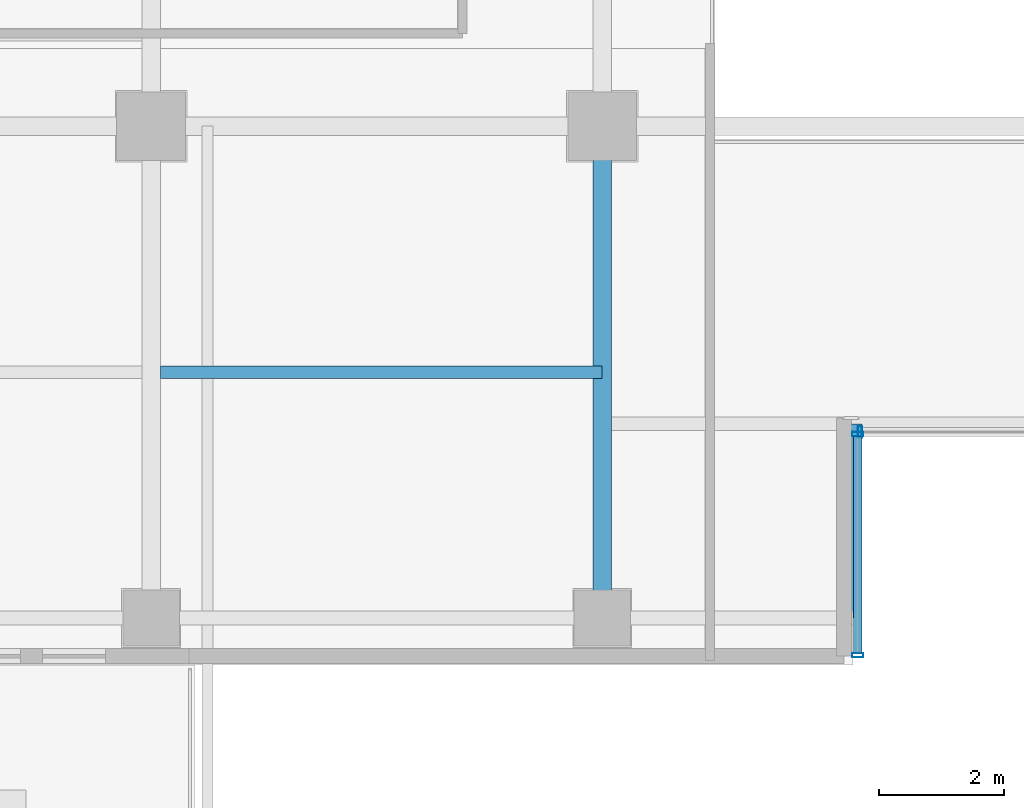
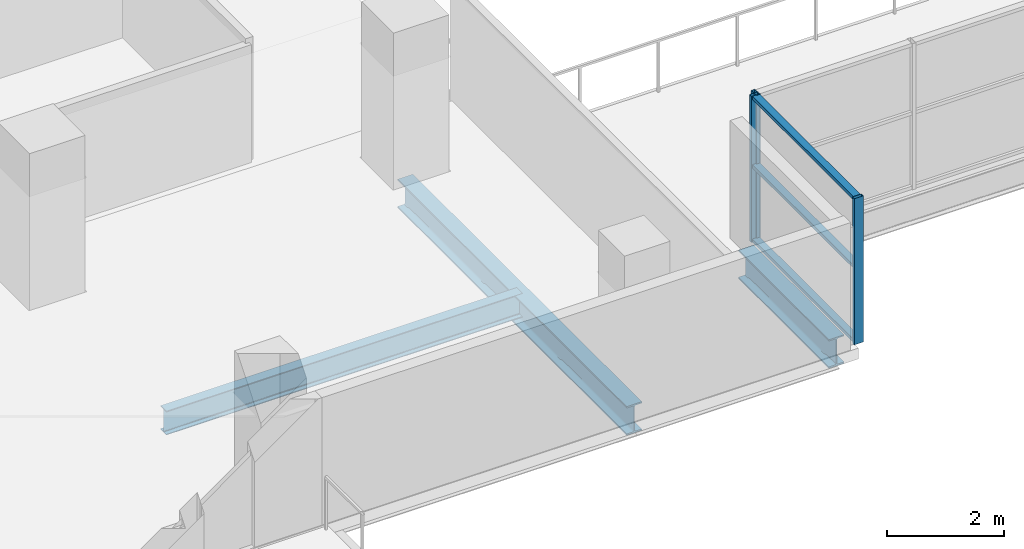
# One storey, part 3 of 31: 6 members, 3 beams, 2 elements without a shape of their own.
"""IFC4 building model written with IfcOpenShell, lengths in metres."""

from ifc_helpers import new_model, si_unit, direction, frame, origin, origin_2d, place, context, subcontext, project, spatial, hollow_rectangle, i_section, extrude, source, transform, mapped, material, layer, layer_set, material_profile, profile_set, type_object, element, aggregate, save


model = new_model("IFC4")

# Units and contexts
model_context = context("Model", 3, precision=1e-05, world=origin(), true_north=direction((0.0, 1.0)))
body_context = subcontext(model_context, "Body", "Model", "MODEL_VIEW")
ifc_project = project(units=[si_unit("LENGTHUNIT", "METRE"), si_unit("AREAUNIT", "SQUARE_METRE"), si_unit("VOLUMEUNIT", "CUBIC_METRE"), si_unit("PLANEANGLEUNIT", "RADIAN"), si_unit("MASSUNIT", "GRAM", prefix="KILO")], contexts=[model_context])

# Site, building, storey
site_placement = place(None, origin())
site = spatial("IfcSite", under=ifc_project, at=site_placement, CompositionType="ELEMENT")
building_placement = place(site_placement, origin())
building = spatial("IfcBuilding", under=site, at=building_placement, Name="Zarnakvel Exchange Tower", CompositionType="ELEMENT")
storey_placement = place(building_placement, frame((0.0, 0.0, 47.199951171875)))
storey = spatial("IfcBuildingStorey", under=building, at=storey_placement, Name="L12", CompositionType="ELEMENT", Elevation=47.199951171875)

# Beams
ifc_material_1 = material(Name="Steel S355", Category="steel")
ifc_material_profile_1 = material_profile(ifc_material_1, i_section(OverallWidth=0.199951171875, OverallDepth=0.5, WebThickness=0.01025390625, FlangeThickness=0.01611328125, FilletRadius=0.02099609375, at=origin_2d()))
ifc_profile_set_1 = profile_set([ifc_material_profile_1], Name="Steel S355")
beam_type_1 = type_object("IfcBeamType", Name="B-04", PredefinedType="JOIST", material=ifc_profile_set_1)
beam_1_placement = place(storey_placement, frame((-14.25, -13.52490234375, -0.474853515625), z_axis=(1.0, 0.0, 0.0), x_axis=(0.0, 1.0, 0.0)))
element("IfcBeam", 1, at=beam_1_placement, inside=storey, type_object=beam_type_1, Name="L12 Composite Floor Secondary Joist", PredefinedType="JOIST", context=body_context, shape_type="SweptSolid", body=[
    extrude(i_section(OverallWidth=0.199951171875, OverallDepth=0.5, WebThickness=0.01025390625, FlangeThickness=0.01611328125, FilletRadius=0.02099609375, at=origin_2d()), origin(), (0.0, 0.0, 1.0), 7.050048828125),
])
ifc_material_profile_2 = material_profile(ifc_material_1, i_section(OverallWidth=0.300048828125, OverallDepth=0.60009765625, WebThickness=0.015380859375, FlangeThickness=0.030029296875, FilletRadius=0.027099609375, at=origin_2d()))
ifc_profile_set_2 = profile_set([ifc_material_profile_2], Name="Steel S355")
beam_type_2 = type_object("IfcBeamType", Name="G-04", PredefinedType="BEAM", material=ifc_profile_set_2)
beam_2_placement = place(storey_placement, frame((-3.199951171875, -17.449951171875, -0.52490234375), z_axis=(0.0, 1.0, 0.0), x_axis=(-1.0, 0.0, 0.0)))
element("IfcBeam", 2, at=beam_2_placement, inside=storey, type_object=beam_type_2, Name="L12 South Slot West Cheek Beam", PredefinedType="BEAM", context=body_context, shape_type="SweptSolid", body=[
    extrude(i_section(OverallWidth=0.300048828125, OverallDepth=0.60009765625, WebThickness=0.015380859375, FlangeThickness=0.030029296875, FilletRadius=0.027099609375, at=origin_2d()), origin(), (0.0, 0.0, 1.0), 3.099853515625),
])
beam_3_placement = place(storey_placement, frame((-7.199951171875, -17.449951171875, -0.52490234375), z_axis=(0.0, 1.0, 0.0), x_axis=(-1.0, 0.0, 0.0)))
element("IfcBeam", 3, at=beam_3_placement, inside=storey, type_object=beam_type_2, Name="L12 Tower N-S Frame Beam", PredefinedType="BEAM", context=body_context, shape_type="SweptSolid", body=[
    extrude(i_section(OverallWidth=0.300048828125, OverallDepth=0.60009765625, WebThickness=0.015380859375, FlangeThickness=0.030029296875, FilletRadius=0.027099609375, at=origin_2d()), origin(), (0.0, 0.0, 1.0), 7.849853515625),
])

# Curtain wall, members
ifc_material_2 = material(Name="Architectural Bronze Anodised Aluminium", Category="aluminium")
ifc_layer = layer(ifc_material_2, 0.179931640625)
ifc_layer_set = layer_set([ifc_layer], Name="Architectural Bronze Anodised Aluminium")
curtain_wall_type = type_object("IfcCurtainWallType", Name="CW-05", PredefinedType="NOTDEFINED", material=ifc_layer_set)
curtain_wall_1_placement = place(storey_placement, origin())
curtain_wall_1 = element("IfcCurtainWall", 4, at=curtain_wall_1_placement, inside=storey, type_object=curtain_wall_type, Name="L12 Curtain Wall CW-L12-SLW (CW-05)", PredefinedType="NOTDEFINED")
ifc_material_profile_3 = material_profile(ifc_material_2, hollow_rectangle(XDim=0.139892578125, YDim=0.070068359375, WallThickness=0.00390625, at=origin_2d()))
ifc_profile_set_3 = profile_set([ifc_material_profile_3], Name="Architectural Bronze Anodised Aluminium")
member_type_1 = type_object("IfcMemberType", Name="CWT-05", PredefinedType="USERDEFINED", material=ifc_profile_set_3)
shared_shape_1 = source(origin(), body_context, "Body", "SweptSolid", [
    extrude(hollow_rectangle(XDim=0.139892578125, YDim=0.070068359375, WallThickness=0.00390625, at=origin_2d()), origin(), (0.0, 0.0, 1.0), 3.4599609375),
])
member_1_placement = place(storey_placement, frame((-3.1201171875, -18.010009765625, 0.03515625), z_axis=(0.0, 1.0, 0.0), x_axis=(-1.0, 0.0, 0.0)))
member_1 = element("IfcMember", 5, at=member_1_placement, type_object=member_type_1, Name="CW-05 transom 1.1", ObjectType="TRANSOM", PredefinedType="USERDEFINED", context=body_context, shape_type="MappedRepresentation", body=[
    mapped(shared_shape_1, transform((0.0, 0.0, 0.0), x_axis=(1.0, 0.0, 0.0), y_axis=(0.0, 1.0, 0.0), z_axis=(0.0, 0.0, 1.0), scale=1.0)),
])
member_2_placement = place(storey_placement, frame((-3.1201171875, -18.010009765625, 1.588623046875), z_axis=(0.0, 1.0, 0.0), x_axis=(-1.0, 0.0, 0.0)))
member_2 = element("IfcMember", 6, at=member_2_placement, type_object=member_type_1, Name="CW-05 transom 1.2", ObjectType="TRANSOM", PredefinedType="USERDEFINED", context=body_context, shape_type="MappedRepresentation", body=[
    mapped(shared_shape_1, transform((0.0, 0.0, 0.0), x_axis=(1.0, 0.0, 0.0), y_axis=(0.0, 1.0, 0.0), z_axis=(0.0, 0.0, 1.0), scale=1.0)),
])
member_3_placement = place(storey_placement, frame((-3.1201171875, -18.010009765625, 3.02001953125), z_axis=(0.0, 1.0, 0.0), x_axis=(-1.0, 0.0, 0.0)))
member_3 = element("IfcMember", 7, at=member_3_placement, type_object=member_type_1, Name="CW-05 transom 1.3", ObjectType="TRANSOM", PredefinedType="USERDEFINED", context=body_context, shape_type="MappedRepresentation", body=[
    mapped(shared_shape_1, transform((0.0, 0.0, 0.0), x_axis=(1.0, 0.0, 0.0), y_axis=(0.0, 1.0, 0.0), z_axis=(0.0, 0.0, 1.0), scale=1.0)),
])
ifc_material_profile_4 = material_profile(ifc_material_2, hollow_rectangle(XDim=0.179931640625, YDim=0.070068359375, WallThickness=0.00390625, at=origin_2d()))
ifc_profile_set_4 = profile_set([ifc_material_profile_4], Name="Architectural Bronze Anodised Aluminium")
member_type_2 = type_object("IfcMemberType", Name="CWM-05", PredefinedType="MULLION", material=ifc_profile_set_4)
shared_shape_2 = source(origin(), body_context, "Body", "SweptSolid", [
    extrude(hollow_rectangle(XDim=0.179931640625, YDim=0.070068359375, WallThickness=0.00390625, at=origin_2d()), origin(), (0.0, 0.0, 1.0), 3.054931640625),
])
member_4_placement = place(storey_placement, frame((-3.1201171875, -18.044921875, 0.0), z_axis=(0.0, 0.0, 1.0), x_axis=(-1.0, 0.0, 0.0)))
member_4 = element("IfcMember", 8, at=member_4_placement, type_object=member_type_2, Name="CW-05 mullion 1", PredefinedType="MULLION", context=body_context, shape_type="MappedRepresentation", body=[
    mapped(shared_shape_2, transform((0.0, 0.0, 0.0), x_axis=(1.0, 0.0, 0.0), y_axis=(0.0, 1.0, 0.0), z_axis=(0.0, 0.0, 1.0), scale=1.0)),
])
member_5_placement = place(storey_placement, frame((-3.1201171875, -14.514892578125, 0.0), z_axis=(0.0, 0.0, 1.0), x_axis=(-1.0, 0.0, 0.0)))
member_5 = element("IfcMember", 9, at=member_5_placement, type_object=member_type_2, Name="CW-05 mullion 2", PredefinedType="MULLION", context=body_context, shape_type="MappedRepresentation", body=[
    mapped(shared_shape_2, transform((0.0, 0.0, 0.0), x_axis=(1.0, 0.0, 0.0), y_axis=(0.0, 1.0, 0.0), z_axis=(0.0, 0.0, 1.0), scale=1.0)),
])
aggregate(curtain_wall_1, [member_4, member_5, member_1, member_2, member_3])

# Curtain wall, member
curtain_wall_2_placement = place(storey_placement, origin())
curtain_wall_2 = element("IfcCurtainWall", 10, at=curtain_wall_2_placement, inside=storey, type_object=curtain_wall_type, Name="L12 Curtain Wall CW-L12-SLB (CW-05)", PredefinedType="NOTDEFINED")
member_6_placement = place(storey_placement, frame((-3.0849609375, -14.47998046875, 0.0), z_axis=(0.0, 0.0, 1.0), x_axis=(0.0, 1.0, 0.0)))
member_6 = element("IfcMember", 11, at=member_6_placement, type_object=member_type_2, Name="CW-05 mullion 1", PredefinedType="MULLION", context=body_context, shape_type="MappedRepresentation", body=[
    mapped(shared_shape_2, transform((0.0, 0.0, 0.0), x_axis=(1.0, 0.0, 0.0), y_axis=(0.0, 1.0, 0.0), z_axis=(0.0, 0.0, 1.0), scale=1.0)),
])
aggregate(curtain_wall_2, [member_6])

save(model, "model.ifc")
